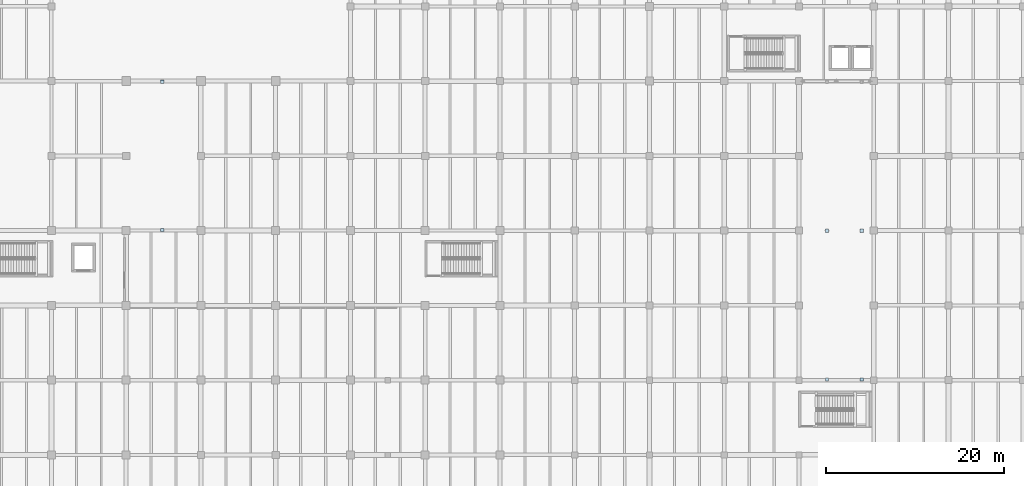
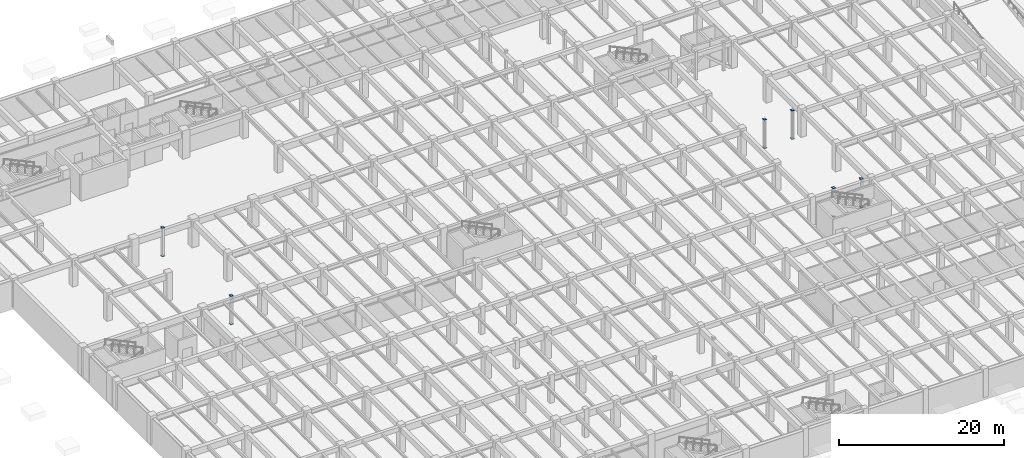
# One storey, part 30 of 63: 12 plates.
"""IFC4 building model written with IfcOpenShell, lengths in metres."""

from ifc_helpers import new_model, si_unit, direction, frame, origin, origin_2d, place, context, subcontext, project, spatial, rectangle, extrude, material, layer, layer_set, type_object, element, save


model = new_model("IFC4")

# Units and contexts
model_context = context("Model", 3, precision=1e-05, world=origin(), true_north=direction((0.0, 1.0)))
body_context = subcontext(model_context, "Body", "Model", "MODEL_VIEW")
ifc_project = project(units=[si_unit("LENGTHUNIT", "METRE"), si_unit("AREAUNIT", "SQUARE_METRE"), si_unit("VOLUMEUNIT", "CUBIC_METRE"), si_unit("PLANEANGLEUNIT", "RADIAN"), si_unit("MASSUNIT", "GRAM", prefix="KILO")], contexts=[model_context])

# Site, building, storey
site_placement = place(None, origin())
site = spatial("IfcSite", under=ifc_project, at=site_placement, CompositionType="ELEMENT")
building_placement = place(site_placement, origin())
building = spatial("IfcBuilding", under=site, at=building_placement, Name="Cumbredor Promenade Congress Hotel", CompositionType="ELEMENT")
storey_placement = place(building_placement, frame((0.0, 0.0, -4.199951171875)))
storey = spatial("IfcBuildingStorey", under=building, at=storey_placement, Name="B01", CompositionType="ELEMENT", Elevation=-4.199951171875)

# Plates
ifc_material = material(Name="Steel ASTM A572 Grade 50", Category="steel")
ifc_layer = layer(ifc_material, 0.02001953125, Name="Steel ASTM A572 Grade 50", Category="steel")
ifc_layer_set = layer_set([ifc_layer], Name="Steel ASTM A572 Grade 50")
plate_type = type_object("IfcPlateType", Name="Hollow Section End Cap Plate CP-04", PredefinedType="USERDEFINED", material=ifc_layer_set)
for number, where, z_axis, x_axis, name in (
    (1, (29.25, 67.280029296875, -0.01806640625), (0.0, 0.0, 1.0), (1.0, 0.0, 0.0), "West Congress-to-Hotel Glazed Bridge B01 Substructure Pier 2 Start Cap Plate"),
    (2, (29.25, 67.280029296875, 4.197998046875), (0.0, 0.0, 1.0), (1.0, 0.0, 0.0), "West Congress-to-Hotel Glazed Bridge B01 Substructure Pier 2 End Cap Plate"),
    (3, (29.25, 83.919921875, -0.01806640625), (0.0, 0.0, 1.0), (1.0, 0.0, 0.0), "West Congress-to-Hotel Glazed Bridge B01 Substructure Pier 4 Start Cap Plate"),
    (4, (29.25, 83.919921875, 4.197998046875), (0.0, 0.0, 1.0), (1.0, 0.0, 0.0), "West Congress-to-Hotel Glazed Bridge B01 Substructure Pier 4 End Cap Plate"),
    (5, (103.949951171875, 50.47998046875, -0.01806640625), (0.0, 0.0, 1.0), (1.0, 0.0, 0.0), "Central Reflecting-Pool Promenade Bridge B01 Substructure Pier 1 Start Cap Plate"),
    (6, (103.949951171875, 50.47998046875, 4.197998046875), (0.0, 0.0, 1.0), (1.0, 0.0, 0.0), "Central Reflecting-Pool Promenade Bridge B01 Substructure Pier 1 End Cap Plate"),
    (7, (107.85009765625, 50.47998046875, -0.01806640625), (0.0, 0.0, 1.0), (1.0, 0.0, 0.0), "Central Reflecting-Pool Promenade Bridge B01 Substructure Pier 2 Start Cap Plate"),
    (8, (107.85009765625, 50.47998046875, 4.197998046875), (0.0, 0.0, 1.0), (1.0, 0.0, 0.0), "Central Reflecting-Pool Promenade Bridge B01 Substructure Pier 2 End Cap Plate"),
    (9, (103.949951171875, 67.199951171875, -0.01806640625), (0.0, 0.0, 1.0), (1.0, 0.0, 0.0), "B01 Pool Bridge Mid Sub-Pier 1 Start Cap Plate"),
    (10, (103.949951171875, 67.199951171875, 4.197998046875), (0.0, 0.0, 1.0), (1.0, 0.0, 0.0), "B01 Pool Bridge Mid Sub-Pier 1 End Cap Plate"),
    (11, (107.85009765625, 67.199951171875, -0.01806640625), (0.0, 0.0, 1.0), (1.0, 0.0, 0.0), "B01 Pool Bridge Mid Sub-Pier 2 Start Cap Plate"),
    (12, (107.85009765625, 67.199951171875, 4.197998046875), (0.0, 0.0, 1.0), (1.0, 0.0, 0.0), "B01 Pool Bridge Mid Sub-Pier 2 End Cap Plate"),
):
    element("IfcPlate", number, at=place(storey_placement, frame(where, z_axis=z_axis, x_axis=x_axis)), inside=storey, type_object=plate_type, Name=name, ObjectType="CAP PLATE", PredefinedType="USERDEFINED", context=body_context, shape_type="SweptSolid", body=[
        extrude(rectangle(XDim=0.3798828125, YDim=0.3798828125, at=origin_2d()), origin(), (0.0, 0.0, 1.0), 0.02001953125),
    ])

save(model, "model.ifc")
